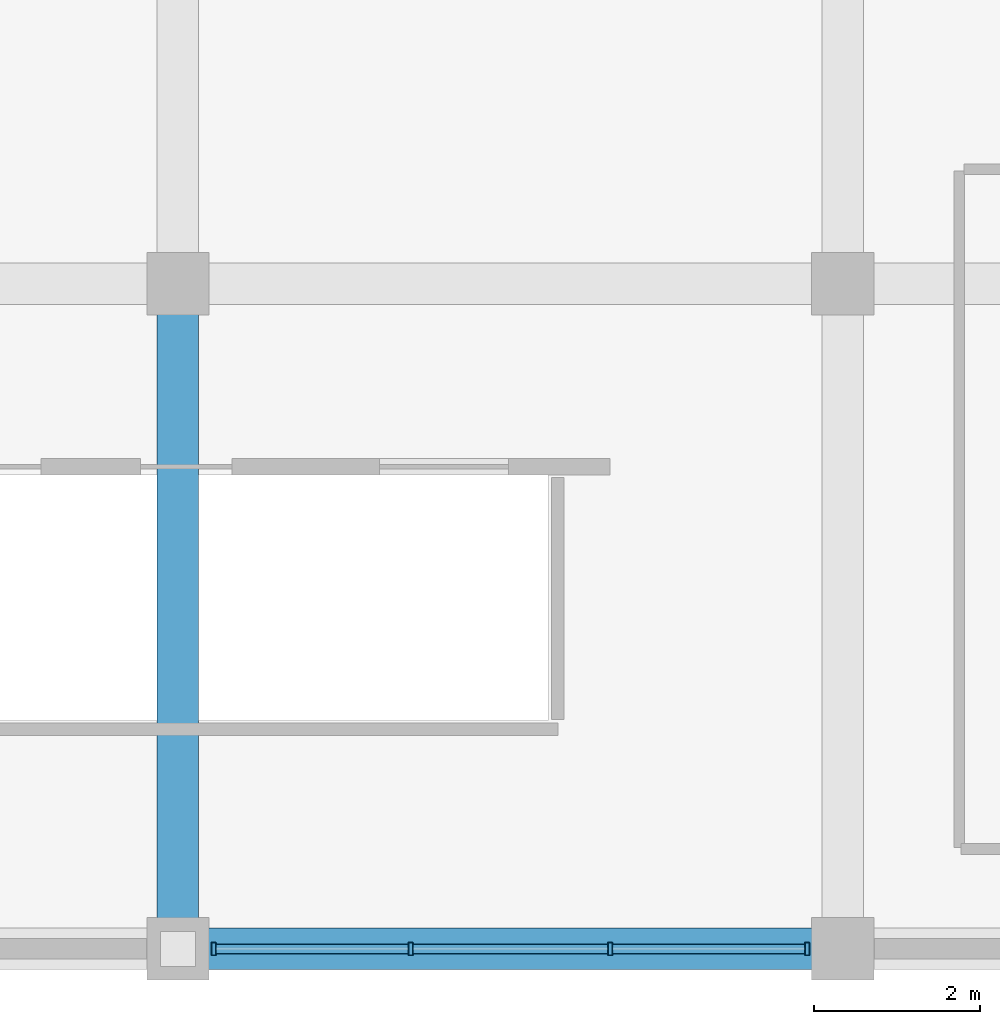
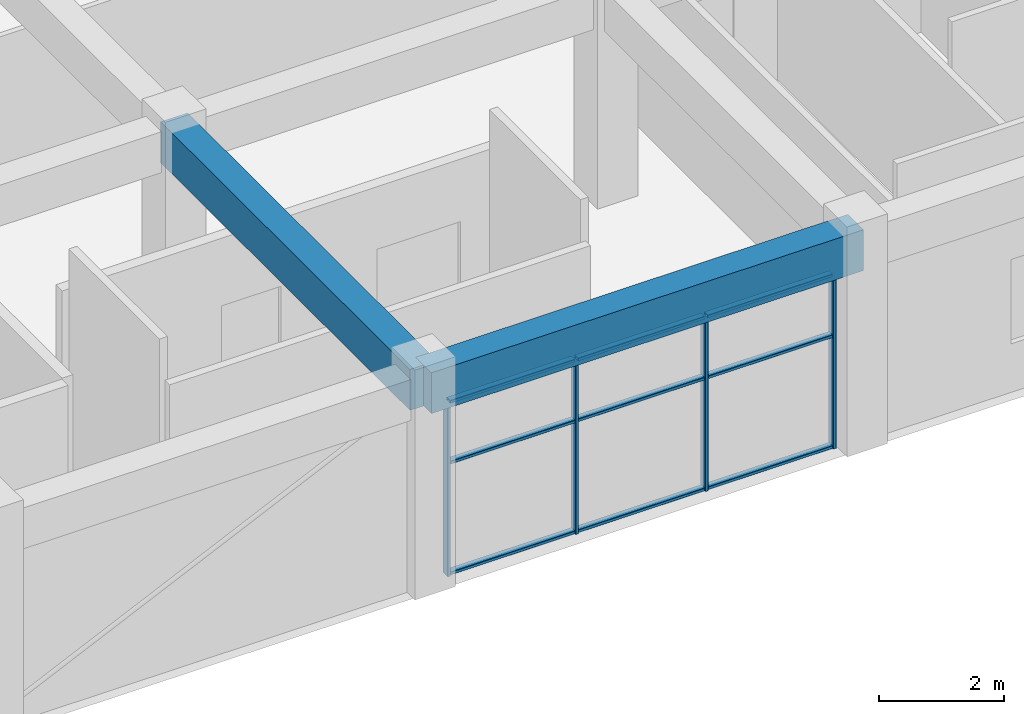
# One storey, part 6 of 55: 13 members, 2 beams, 1 element without a shape of its own.
"""IFC4 building model written with IfcOpenShell, lengths in metres."""

import ifcopenshell
import ifcopenshell.guid

model = None  # the IFC model being written
_history = None  # IfcOwnerHistory: only IFC2X3 demands one
_inside = {}  # id of a spatial element -> (the spatial element, [elements in it])
_under = {}  # id of a project, library or spatial element -> (it, [spatial elements below it])
_declared = {}  # id of a project -> (the project, [libraries it declares])
_typed = {}  # id of a type object -> (the type object, [elements of that type])
_made_of = {}  # id of a material, layer set ... -> (it, [elements and type objects made of it])


def new_model(schema):
    """Start an empty IFC model of exactly this schema.

    Asked for "IFC4X3", IfcOpenShell would pick the latest addendum, in which some entities
    have other attributes; the version numbers below select the first issue.
    IFC2X3 requires an IfcOwnerHistory on every rooted entity: one is made here for all.
    """
    global model, _history
    if schema == "IFC4X3":
        model = ifcopenshell.file(schema_version=(4, 3, 0, 0))
    else:
        model = ifcopenshell.file(schema=schema)
    _inside.clear()
    _under.clear()
    _declared.clear()
    _typed.clear()
    _made_of.clear()
    _history = None
    if model.schema == "IFC2X3":
        org = make("IfcOrganization", Name="unknown")
        user = make(
            "IfcPersonAndOrganization",
            ThePerson=make("IfcPerson", FamilyName="unknown"),
            TheOrganization=org,
        )
        app = make(
            "IfcApplication",
            ApplicationDeveloper=org,
            Version="unknown",
            ApplicationFullName="unknown",
            ApplicationIdentifier="unknown",
        )
        _history = make(
            "IfcOwnerHistory",
            OwningUser=user,
            OwningApplication=app,
            ChangeAction="ADDED",
            CreationDate=0,
        )
    return model


def make(cls, **values):
    """One entity of the class cls with the attributes given. An attribute that is None is left unset."""
    return model.create_entity(
        cls, **{name: value for name, value in values.items() if value is not None}
    )


def rooted(cls, **values):
    """An entity with a GlobalId (a new one), such as an element, a storey or a relation."""
    return make(cls, GlobalId=ifcopenshell.guid.new(), OwnerHistory=_history, **values)


def si_unit(unit_type, name, prefix=None):
    """IfcSIUnit, for example si_unit("LENGTHUNIT", "METRE", prefix="MILLI")."""
    return make("IfcSIUnit", UnitType=unit_type, Prefix=prefix, Name=name)


def assignment(units):
    """IfcUnitAssignment: the units of a project."""
    return None if units is None else make("IfcUnitAssignment", Units=units)


def point(xyz):
    """IfcCartesianPoint."""
    return None if xyz is None else make("IfcCartesianPoint", Coordinates=xyz)


def direction(xyz):
    """IfcDirection."""
    return None if xyz is None else make("IfcDirection", DirectionRatios=xyz)


def frame(location, z_axis=None, x_axis=None):
    """IfcAxis2Placement3D, a coordinate frame: its origin and axes. An axis left out is left unset."""
    return make(
        "IfcAxis2Placement3D",
        Location=point(location),
        Axis=direction(z_axis),
        RefDirection=direction(x_axis),
    )


def frame_2d(location, x_axis=None):
    """IfcAxis2Placement2D, a coordinate frame in the plane: its origin and x axis."""
    return make(
        "IfcAxis2Placement2D", Location=point(location), RefDirection=direction(x_axis)
    )


def origin():
    """The frame at (0, 0, 0) with its axes left unset."""
    return frame((0.0, 0.0, 0.0))


def origin_2d():
    """The frame at (0, 0) in the plane with its x axis left unset."""
    return frame_2d((0.0, 0.0))


def place(relative_to, where):
    """IfcLocalPlacement: puts the frame where relative to a parent placement (None: the world)."""
    return make(
        "IfcLocalPlacement", PlacementRelTo=relative_to, RelativePlacement=where
    )


def context(
    kind, dimensions, precision=None, world=None, true_north=None, identifier=None
):
    """IfcGeometricRepresentationContext, for example the 3D "Model" context."""
    return make(
        "IfcGeometricRepresentationContext",
        ContextIdentifier=identifier,
        ContextType=kind,
        CoordinateSpaceDimension=dimensions,
        Precision=precision,
        WorldCoordinateSystem=world,
        TrueNorth=true_north,
    )


def subcontext(parent, identifier, kind, view, scale=None):
    """IfcGeometricRepresentationSubContext, for example "Body" below "Model"."""
    return make(
        "IfcGeometricRepresentationSubContext",
        ContextIdentifier=identifier,
        ContextType=kind,
        ParentContext=parent,
        TargetScale=scale,
        TargetView=view,
    )


def project(units=None, contexts=None):
    """IfcProject with its units and contexts."""
    return rooted(
        "IfcProject",
        Name="project",
        RepresentationContexts=contexts,
        UnitsInContext=assignment(units),
    )


def spatial(cls, under=None, at=None, **own):
    """A site, building, storey or space (cls), placed at a placement, below another one or the project."""
    s = rooted(cls, ObjectPlacement=at, **own)
    if under is not None:
        _under.setdefault(under.id(), (under, []))[1].append(s)
    return s


def profile(cls, at=None, kind="AREA", **sizes):
    """A parametric profile (cls). Its sizes go by their IFC names, for example OverallWidth=200.0."""
    return make(cls, ProfileType=kind, Position=at, **sizes)


def rectangle(**sizes):
    """IfcRectangleProfileDef."""
    return profile("IfcRectangleProfileDef", **sizes)


def hollow_rectangle(**sizes):
    """IfcRectangleHollowProfileDef."""
    return profile("IfcRectangleHollowProfileDef", **sizes)


def extrude(swept, where, along, depth):
    """IfcExtrudedAreaSolid: the profile swept, set in the frame where, extruded along a direction by depth."""
    return make(
        "IfcExtrudedAreaSolid",
        SweptArea=swept,
        Position=where,
        ExtrudedDirection=direction(along),
        Depth=depth,
    )


def shape(context_of_items, identifier, shape_type, items):
    """IfcShapeRepresentation: the items that make up one representation, for example the "Body"."""
    return make(
        "IfcShapeRepresentation",
        ContextOfItems=context_of_items,
        RepresentationIdentifier=identifier,
        RepresentationType=shape_type,
        Items=items,
    )


def material(Name=None, Category=None):
    """IfcMaterial."""
    return make("IfcMaterial", Name=Name, Category=Category)


def layer(
    of_material, thickness, ventilated=None, Name=None, Category=None, Priority=None
):
    """IfcMaterialLayer: one layer of a wall or slab, of a material (None: an air gap)."""
    return make(
        "IfcMaterialLayer",
        Material=of_material,
        LayerThickness=thickness,
        IsVentilated=ventilated,
        Name=Name,
        Category=Category,
        Priority=Priority,
    )


def layer_set(layers, Name=None):
    """IfcMaterialLayerSet."""
    return make("IfcMaterialLayerSet", MaterialLayers=layers, LayerSetName=Name)


def material_profile(
    of_material, cross_section, Name=None, Category=None, Priority=None
):
    """IfcMaterialProfile: a cross section and its material."""
    return make(
        "IfcMaterialProfile",
        Name=Name,
        Material=of_material,
        Profile=cross_section,
        Priority=Priority,
        Category=Category,
    )


def profile_set(profiles, Name=None, composite=None):
    """IfcMaterialProfileSet."""
    return make(
        "IfcMaterialProfileSet",
        Name=Name,
        MaterialProfiles=profiles,
        CompositeProfile=composite,
    )


def made_of(thing, what):
    """Note that an element or type object is made of a material, layer set ...; save() writes the relation."""
    if what is not None:
        _made_of.setdefault(what.id(), (what, []))[1].append(thing)
    return thing


def type_object(cls, material=None, **own):
    """A type object (cls), such as IfcWallType, which elements share."""
    return made_of(rooted(cls, **own), material)


def element(
    cls,
    number,
    at=None,
    inside=None,
    cuts=None,
    type_object=None,
    material=None,
    context=None,
    identifier="Body",
    shape_type=None,
    held_by="IfcProductDefinitionShape",
    body=None,
    shapes=None,
    **own,
):
    """One element of the class cls, such as IfcWall. Its Tag is "e" and its number.

    at: its placement. inside: the storey or other place that contains it. cuts: it is an
    opening in that element (IfcRelVoidsElement). A single representation is given by context,
    identifier, shape_type and body (its items); several are given by shapes. held_by: the class
    of the entity that holds the representations. save() writes the other relations.
    """
    e = rooted(cls, Tag="e%d" % number, ObjectPlacement=at, **own)
    if body is not None:
        shapes = [shape(context, identifier, shape_type, body)]
    if shapes is not None:
        e.Representation = make(held_by, Representations=shapes)
    if inside is not None:
        _inside.setdefault(inside.id(), (inside, []))[1].append(e)
    if cuts is not None:
        rooted(
            "IfcRelVoidsElement", RelatingBuildingElement=cuts, RelatedOpeningElement=e
        )
    if type_object is not None:
        _typed.setdefault(type_object.id(), (type_object, []))[1].append(e)
    return made_of(e, material)


def aggregate(whole, parts):
    """IfcRelAggregates: a whole, such as a stair, and the parts it consists of."""
    return rooted("IfcRelAggregates", RelatingObject=whole, RelatedObjects=parts)


def save(model, path):
    """Write the relations noted so far, then the file.

    IfcRelAggregates (storeys below a building ...), IfcRelContainedInSpatialStructure (elements
    in a storey), IfcRelDefinesByType, IfcRelAssociatesMaterial and IfcRelDeclares: one each for
    every whole, place, type object, material and project.
    """
    for whole, parts in _under.values():
        aggregate(whole, parts)
    for where, things in _inside.values():
        rooted(
            "IfcRelContainedInSpatialStructure",
            RelatedElements=things,
            RelatingStructure=where,
        )
    for kind, things in _typed.values():
        rooted("IfcRelDefinesByType", RelatedObjects=things, RelatingType=kind)
    for what, things in _made_of.values():
        rooted("IfcRelAssociatesMaterial", RelatedObjects=things, RelatingMaterial=what)
    for by, libraries in _declared.values():
        rooted("IfcRelDeclares", RelatingContext=by, RelatedDefinitions=libraries)
    model.write(path)


model = new_model("IFC4")

# Units and contexts
model_context = context("Model", 3, precision=1e-05, world=origin(), true_north=direction((0.0, 1.0)))
body_context = subcontext(model_context, "Body", "Model", "MODEL_VIEW")
ifc_project = project(units=[si_unit("LENGTHUNIT", "METRE"), si_unit("AREAUNIT", "SQUARE_METRE"), si_unit("VOLUMEUNIT", "CUBIC_METRE"), si_unit("PLANEANGLEUNIT", "RADIAN"), si_unit("MASSUNIT", "GRAM", prefix="KILO")], contexts=[model_context])

# Site, building, storey
site_placement = place(None, origin())
site = spatial("IfcSite", under=ifc_project, at=site_placement, CompositionType="ELEMENT")
building_placement = place(site_placement, origin())
building = spatial("IfcBuilding", under=site, at=building_placement, Name="Kelanora Arch Commons", CompositionType="ELEMENT")
storey_placement = place(building_placement, frame((0.0, 0.0, 4.5)))
storey = spatial("IfcBuildingStorey", under=building, at=storey_placement, Name="L01", CompositionType="ELEMENT", Elevation=4.5)

# Beams
ifc_material_1 = material(Name="Concrete C40/50", Category="concrete")
ifc_material_profile_1 = material_profile(ifc_material_1, rectangle(XDim=0.5, YDim=0.800048828125, at=origin_2d()), Name="RCB500x800")
ifc_profile_set_1 = profile_set([ifc_material_profile_1], Name="Concrete C40/50")
beam_type = type_object("IfcBeamType", Name="BM-MKT-RC1", PredefinedType="BEAM", material=ifc_profile_set_1)
for number, where, z_axis, x_axis, name in (
    (1, (20.0, 4.0, 3.840087890625), (1.0, 0.0, 0.0), (0.0, 1.0, 0.0), "Market/Basement Frame Beam 038 L01"),
    (2, (20.0, 4.0, 3.840087890625), (0.0, 1.0, 0.0), (-1.0, 0.0, 0.0), "Market/Basement Frame Beam 039 L01"),
):
    element("IfcBeam", number, at=place(storey_placement, frame(where, z_axis=z_axis, x_axis=x_axis)), inside=storey, type_object=beam_type, Name=name, PredefinedType="BEAM", context=body_context, shape_type="SweptSolid", body=[
        extrude(rectangle(XDim=0.5, YDim=0.800048828125, at=origin_2d()), origin(), (0.0, 0.0, 1.0), 8.0),
    ])

# Curtain wall, members
ifc_material_2 = material(Name="Terracotta ceramic-fritted low-E glass and aluminium", Category="masonry")
ifc_layer = layer(ifc_material_2, 0.16796875)
ifc_layer_set = layer_set([ifc_layer], Name="Terracotta ceramic-fritted low-E glass and aluminium")
curtain_wall_type = type_object("IfcCurtainWallType", Name="CW-SYS-07", PredefinedType="NOTDEFINED", material=ifc_layer_set)
curtain_wall_placement = place(storey_placement, origin())
curtain_wall = element("IfcCurtainWall", 3, at=curtain_wall_placement, inside=storey, type_object=curtain_wall_type, Name="Market Hall Arcade Curtain Wall L01-02", PredefinedType="NOTDEFINED")
ifc_material_3 = material(Name="Powder-coated aluminium terracotta", Category="masonry")
ifc_material_profile_2 = material_profile(ifc_material_3, hollow_rectangle(XDim=0.159912109375, YDim=0.06005859375, WallThickness=0.0048828125, InnerFilletRadius=0.0048828125, OuterFilletRadius=0.010009765625, at=origin_2d()), Name="CWM160x60")
ifc_profile_set_2 = profile_set([ifc_material_profile_2], Name="Powder-coated aluminium terracotta")
member_type_1 = type_object("IfcMemberType", Name="CWM-STD", PredefinedType="MULLION", material=ifc_profile_set_2)
member_1_placement = place(storey_placement, frame((20.429931640625, 4.0, 0.0), z_axis=(0.0, 0.0, 1.0), x_axis=(0.0, 1.0, 0.0)))
member_1 = element("IfcMember", 4, at=member_1_placement, type_object=member_type_1, Name="CW-07 mullion 1", PredefinedType="MULLION", context=body_context, shape_type="SweptSolid", body=[
    extrude(hollow_rectangle(XDim=0.159912109375, YDim=0.06005859375, WallThickness=0.0048828125, InnerFilletRadius=0.0048828125, OuterFilletRadius=0.010009765625, at=origin_2d()), origin(), (0.0, 0.0, 1.0), 3.419921875),
])
member_2_placement = place(storey_placement, frame((22.800048828125, 4.0, 0.0), z_axis=(0.0, 0.0, 1.0), x_axis=(0.0, 1.0, 0.0)))
member_2 = element("IfcMember", 5, at=member_2_placement, type_object=member_type_1, Name="CW-07 mullion 2", PredefinedType="MULLION", context=body_context, shape_type="SweptSolid", body=[
    extrude(hollow_rectangle(XDim=0.159912109375, YDim=0.06005859375, WallThickness=0.0048828125, InnerFilletRadius=0.0048828125, OuterFilletRadius=0.010009765625, at=origin_2d()), origin(), (0.0, 0.0, 1.0), 3.419921875),
])
member_3_placement = place(storey_placement, frame((25.199951171875, 4.0, 0.0), z_axis=(0.0, 0.0, 1.0), x_axis=(0.0, 1.0, 0.0)))
member_3 = element("IfcMember", 6, at=member_3_placement, type_object=member_type_1, Name="CW-07 mullion 3", PredefinedType="MULLION", context=body_context, shape_type="SweptSolid", body=[
    extrude(hollow_rectangle(XDim=0.159912109375, YDim=0.06005859375, WallThickness=0.0048828125, InnerFilletRadius=0.0048828125, OuterFilletRadius=0.010009765625, at=origin_2d()), origin(), (0.0, 0.0, 1.0), 3.419921875),
])
member_4_placement = place(storey_placement, frame((27.570068359375, 4.0, 0.0), z_axis=(0.0, 0.0, 1.0), x_axis=(0.0, 1.0, 0.0)))
member_4 = element("IfcMember", 7, at=member_4_placement, type_object=member_type_1, Name="CW-07 mullion 4", PredefinedType="MULLION", context=body_context, shape_type="SweptSolid", body=[
    extrude(hollow_rectangle(XDim=0.159912109375, YDim=0.06005859375, WallThickness=0.0048828125, InnerFilletRadius=0.0048828125, OuterFilletRadius=0.010009765625, at=origin_2d()), origin(), (0.0, 0.0, 1.0), 3.419921875),
])
ifc_material_profile_3 = material_profile(ifc_material_3, hollow_rectangle(XDim=0.1201171875, YDim=0.06005859375, WallThickness=0.0048828125, InnerFilletRadius=0.0048828125, OuterFilletRadius=0.010009765625, at=origin_2d()), Name="CWT120x60")
ifc_profile_set_3 = profile_set([ifc_material_profile_3], Name="Powder-coated aluminium terracotta")
member_type_2 = type_object("IfcMemberType", Name="CWT-STD", PredefinedType="USERDEFINED", material=ifc_profile_set_3)
member_5_placement = place(storey_placement, frame((20.4599609375, 4.0, 0.030029296875), z_axis=(1.0, 0.0, 0.0), x_axis=(0.0, 1.0, 0.0)))
member_5 = element("IfcMember", 8, at=member_5_placement, type_object=member_type_2, Name="CW-07 transom 1.1", ObjectType="TRANSOM", PredefinedType="USERDEFINED", context=body_context, shape_type="SweptSolid", body=[
    extrude(hollow_rectangle(XDim=0.1201171875, YDim=0.06005859375, WallThickness=0.0048828125, InnerFilletRadius=0.0048828125, OuterFilletRadius=0.010009765625, at=origin_2d()), origin(), (0.0, 0.0, 1.0), 2.31005859375),
])
member_6_placement = place(storey_placement, frame((20.4599609375, 4.0, 2.199951171875), z_axis=(1.0, 0.0, 0.0), x_axis=(0.0, 1.0, 0.0)))
member_6 = element("IfcMember", 9, at=member_6_placement, type_object=member_type_2, Name="CW-07 transom 1.2", ObjectType="TRANSOM", PredefinedType="USERDEFINED", context=body_context, shape_type="SweptSolid", body=[
    extrude(hollow_rectangle(XDim=0.1201171875, YDim=0.06005859375, WallThickness=0.0048828125, InnerFilletRadius=0.0048828125, OuterFilletRadius=0.010009765625, at=origin_2d()), origin(), (0.0, 0.0, 1.0), 2.31005859375),
])
member_7_placement = place(storey_placement, frame((20.4599609375, 4.0, 3.389892578125), z_axis=(1.0, 0.0, 0.0), x_axis=(0.0, 1.0, 0.0)))
member_7 = element("IfcMember", 10, at=member_7_placement, type_object=member_type_2, Name="CW-07 transom 1.3", ObjectType="TRANSOM", PredefinedType="USERDEFINED", context=body_context, shape_type="SweptSolid", body=[
    extrude(hollow_rectangle(XDim=0.1201171875, YDim=0.06005859375, WallThickness=0.0048828125, InnerFilletRadius=0.0048828125, OuterFilletRadius=0.010009765625, at=origin_2d()), origin(), (0.0, 0.0, 1.0), 2.31005859375),
])
member_8_placement = place(storey_placement, frame((22.830078125, 4.0, 0.030029296875), z_axis=(1.0, 0.0, 0.0), x_axis=(0.0, 1.0, 0.0)))
member_8 = element("IfcMember", 11, at=member_8_placement, type_object=member_type_2, Name="CW-07 transom 2.1", ObjectType="TRANSOM", PredefinedType="USERDEFINED", context=body_context, shape_type="SweptSolid", body=[
    extrude(hollow_rectangle(XDim=0.1201171875, YDim=0.06005859375, WallThickness=0.0048828125, InnerFilletRadius=0.0048828125, OuterFilletRadius=0.010009765625, at=origin_2d()), origin(), (0.0, 0.0, 1.0), 2.33984375),
])
member_9_placement = place(storey_placement, frame((22.830078125, 4.0, 2.199951171875), z_axis=(1.0, 0.0, 0.0), x_axis=(0.0, 1.0, 0.0)))
member_9 = element("IfcMember", 12, at=member_9_placement, type_object=member_type_2, Name="CW-07 transom 2.2", ObjectType="TRANSOM", PredefinedType="USERDEFINED", context=body_context, shape_type="SweptSolid", body=[
    extrude(hollow_rectangle(XDim=0.1201171875, YDim=0.06005859375, WallThickness=0.0048828125, InnerFilletRadius=0.0048828125, OuterFilletRadius=0.010009765625, at=origin_2d()), origin(), (0.0, 0.0, 1.0), 2.33984375),
])
member_10_placement = place(storey_placement, frame((22.830078125, 4.0, 3.389892578125), z_axis=(1.0, 0.0, 0.0), x_axis=(0.0, 1.0, 0.0)))
member_10 = element("IfcMember", 13, at=member_10_placement, type_object=member_type_2, Name="CW-07 transom 2.3", ObjectType="TRANSOM", PredefinedType="USERDEFINED", context=body_context, shape_type="SweptSolid", body=[
    extrude(hollow_rectangle(XDim=0.1201171875, YDim=0.06005859375, WallThickness=0.0048828125, InnerFilletRadius=0.0048828125, OuterFilletRadius=0.010009765625, at=origin_2d()), origin(), (0.0, 0.0, 1.0), 2.33984375),
])
member_11_placement = place(storey_placement, frame((25.22998046875, 4.0, 0.030029296875), z_axis=(1.0, 0.0, 0.0), x_axis=(0.0, 1.0, 0.0)))
member_11 = element("IfcMember", 14, at=member_11_placement, type_object=member_type_2, Name="CW-07 transom 3.1", ObjectType="TRANSOM", PredefinedType="USERDEFINED", context=body_context, shape_type="SweptSolid", body=[
    extrude(hollow_rectangle(XDim=0.1201171875, YDim=0.06005859375, WallThickness=0.0048828125, InnerFilletRadius=0.0048828125, OuterFilletRadius=0.010009765625, at=origin_2d()), origin(), (0.0, 0.0, 1.0), 2.31005859375),
])
member_12_placement = place(storey_placement, frame((25.22998046875, 4.0, 2.199951171875), z_axis=(1.0, 0.0, 0.0), x_axis=(0.0, 1.0, 0.0)))
member_12 = element("IfcMember", 15, at=member_12_placement, type_object=member_type_2, Name="CW-07 transom 3.2", ObjectType="TRANSOM", PredefinedType="USERDEFINED", context=body_context, shape_type="SweptSolid", body=[
    extrude(hollow_rectangle(XDim=0.1201171875, YDim=0.06005859375, WallThickness=0.0048828125, InnerFilletRadius=0.0048828125, OuterFilletRadius=0.010009765625, at=origin_2d()), origin(), (0.0, 0.0, 1.0), 2.31005859375),
])
member_13_placement = place(storey_placement, frame((25.22998046875, 4.0, 3.389892578125), z_axis=(1.0, 0.0, 0.0), x_axis=(0.0, 1.0, 0.0)))
member_13 = element("IfcMember", 16, at=member_13_placement, type_object=member_type_2, Name="CW-07 transom 3.3", ObjectType="TRANSOM", PredefinedType="USERDEFINED", context=body_context, shape_type="SweptSolid", body=[
    extrude(hollow_rectangle(XDim=0.1201171875, YDim=0.06005859375, WallThickness=0.0048828125, InnerFilletRadius=0.0048828125, OuterFilletRadius=0.010009765625, at=origin_2d()), origin(), (0.0, 0.0, 1.0), 2.31005859375),
])
aggregate(curtain_wall, [member_1, member_2, member_3, member_4, member_5, member_6, member_7, member_8, member_9, member_10, member_11, member_12, member_13])

save(model, "model.ifc")
